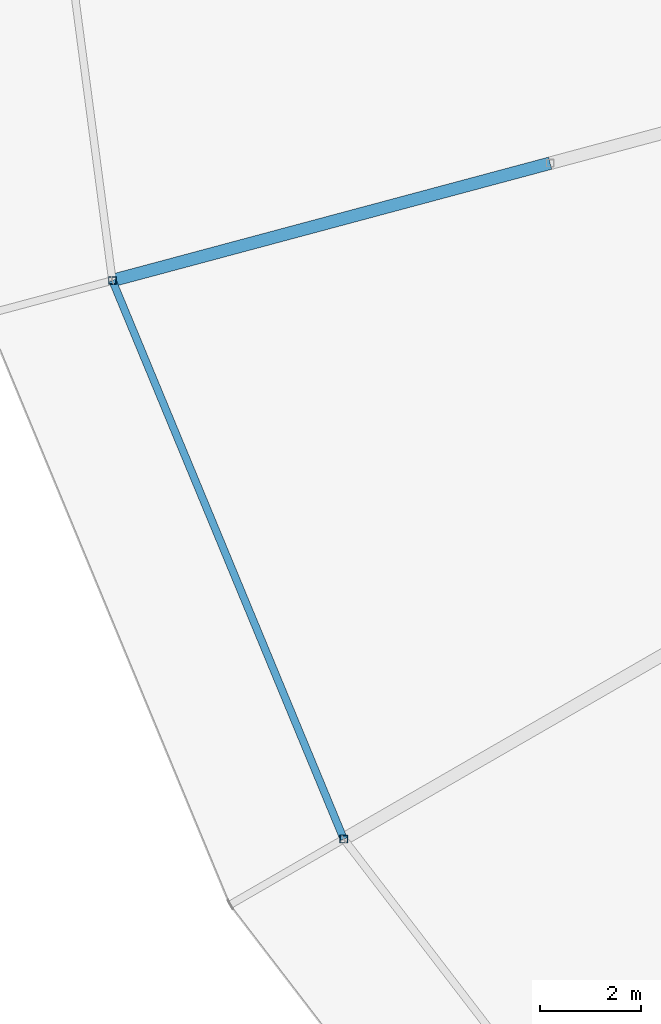
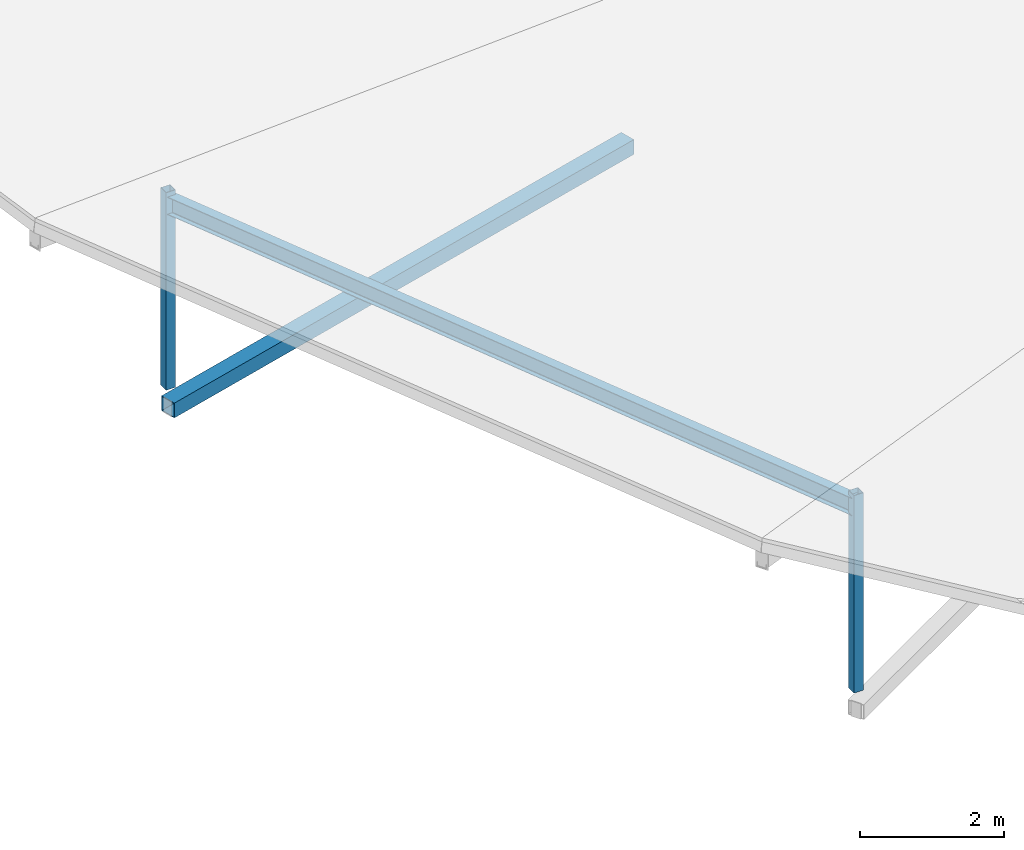
# One storey, part 3 of 70: 3 members, 1 beam.
"""IFC4 building model written with IfcOpenShell, lengths in metres."""

import ifcopenshell
import ifcopenshell.guid

model = None  # the IFC model being written
_history = None  # IfcOwnerHistory: only IFC2X3 demands one
_inside = {}  # id of a spatial element -> (the spatial element, [elements in it])
_under = {}  # id of a project, library or spatial element -> (it, [spatial elements below it])
_declared = {}  # id of a project -> (the project, [libraries it declares])
_typed = {}  # id of a type object -> (the type object, [elements of that type])
_made_of = {}  # id of a material, layer set ... -> (it, [elements and type objects made of it])


def new_model(schema):
    """Start an empty IFC model of exactly this schema.

    Asked for "IFC4X3", IfcOpenShell would pick the latest addendum, in which some entities
    have other attributes; the version numbers below select the first issue.
    IFC2X3 requires an IfcOwnerHistory on every rooted entity: one is made here for all.
    """
    global model, _history
    if schema == "IFC4X3":
        model = ifcopenshell.file(schema_version=(4, 3, 0, 0))
    else:
        model = ifcopenshell.file(schema=schema)
    _inside.clear()
    _under.clear()
    _declared.clear()
    _typed.clear()
    _made_of.clear()
    _history = None
    if model.schema == "IFC2X3":
        org = make("IfcOrganization", Name="unknown")
        user = make(
            "IfcPersonAndOrganization",
            ThePerson=make("IfcPerson", FamilyName="unknown"),
            TheOrganization=org,
        )
        app = make(
            "IfcApplication",
            ApplicationDeveloper=org,
            Version="unknown",
            ApplicationFullName="unknown",
            ApplicationIdentifier="unknown",
        )
        _history = make(
            "IfcOwnerHistory",
            OwningUser=user,
            OwningApplication=app,
            ChangeAction="ADDED",
            CreationDate=0,
        )
    return model


def make(cls, **values):
    """One entity of the class cls with the attributes given. An attribute that is None is left unset."""
    return model.create_entity(
        cls, **{name: value for name, value in values.items() if value is not None}
    )


def rooted(cls, **values):
    """An entity with a GlobalId (a new one), such as an element, a storey or a relation."""
    return make(cls, GlobalId=ifcopenshell.guid.new(), OwnerHistory=_history, **values)


def si_unit(unit_type, name, prefix=None):
    """IfcSIUnit, for example si_unit("LENGTHUNIT", "METRE", prefix="MILLI")."""
    return make("IfcSIUnit", UnitType=unit_type, Prefix=prefix, Name=name)


def assignment(units):
    """IfcUnitAssignment: the units of a project."""
    return None if units is None else make("IfcUnitAssignment", Units=units)


def point(xyz):
    """IfcCartesianPoint."""
    return None if xyz is None else make("IfcCartesianPoint", Coordinates=xyz)


def direction(xyz):
    """IfcDirection."""
    return None if xyz is None else make("IfcDirection", DirectionRatios=xyz)


def frame(location, z_axis=None, x_axis=None):
    """IfcAxis2Placement3D, a coordinate frame: its origin and axes. An axis left out is left unset."""
    return make(
        "IfcAxis2Placement3D",
        Location=point(location),
        Axis=direction(z_axis),
        RefDirection=direction(x_axis),
    )


def frame_2d(location, x_axis=None):
    """IfcAxis2Placement2D, a coordinate frame in the plane: its origin and x axis."""
    return make(
        "IfcAxis2Placement2D", Location=point(location), RefDirection=direction(x_axis)
    )


def origin():
    """The frame at (0, 0, 0) with its axes left unset."""
    return frame((0.0, 0.0, 0.0))


def origin_2d():
    """The frame at (0, 0) in the plane with its x axis left unset."""
    return frame_2d((0.0, 0.0))


def place(relative_to, where):
    """IfcLocalPlacement: puts the frame where relative to a parent placement (None: the world)."""
    return make(
        "IfcLocalPlacement", PlacementRelTo=relative_to, RelativePlacement=where
    )


def context(
    kind, dimensions, precision=None, world=None, true_north=None, identifier=None
):
    """IfcGeometricRepresentationContext, for example the 3D "Model" context."""
    return make(
        "IfcGeometricRepresentationContext",
        ContextIdentifier=identifier,
        ContextType=kind,
        CoordinateSpaceDimension=dimensions,
        Precision=precision,
        WorldCoordinateSystem=world,
        TrueNorth=true_north,
    )


def subcontext(parent, identifier, kind, view, scale=None):
    """IfcGeometricRepresentationSubContext, for example "Body" below "Model"."""
    return make(
        "IfcGeometricRepresentationSubContext",
        ContextIdentifier=identifier,
        ContextType=kind,
        ParentContext=parent,
        TargetScale=scale,
        TargetView=view,
    )


def project(units=None, contexts=None):
    """IfcProject with its units and contexts."""
    return rooted(
        "IfcProject",
        Name="project",
        RepresentationContexts=contexts,
        UnitsInContext=assignment(units),
    )


def spatial(cls, under=None, at=None, **own):
    """A site, building, storey or space (cls), placed at a placement, below another one or the project."""
    s = rooted(cls, ObjectPlacement=at, **own)
    if under is not None:
        _under.setdefault(under.id(), (under, []))[1].append(s)
    return s


def profile(cls, at=None, kind="AREA", **sizes):
    """A parametric profile (cls). Its sizes go by their IFC names, for example OverallWidth=200.0."""
    return make(cls, ProfileType=kind, Position=at, **sizes)


def hollow_rectangle(**sizes):
    """IfcRectangleHollowProfileDef."""
    return profile("IfcRectangleHollowProfileDef", **sizes)


def i_section(**sizes):
    """IfcIShapeProfileDef."""
    return profile("IfcIShapeProfileDef", **sizes)


def extrude(swept, where, along, depth):
    """IfcExtrudedAreaSolid: the profile swept, set in the frame where, extruded along a direction by depth."""
    return make(
        "IfcExtrudedAreaSolid",
        SweptArea=swept,
        Position=where,
        ExtrudedDirection=direction(along),
        Depth=depth,
    )


def shape(context_of_items, identifier, shape_type, items):
    """IfcShapeRepresentation: the items that make up one representation, for example the "Body"."""
    return make(
        "IfcShapeRepresentation",
        ContextOfItems=context_of_items,
        RepresentationIdentifier=identifier,
        RepresentationType=shape_type,
        Items=items,
    )


def material(Name=None, Category=None):
    """IfcMaterial."""
    return make("IfcMaterial", Name=Name, Category=Category)


def material_profile(
    of_material, cross_section, Name=None, Category=None, Priority=None
):
    """IfcMaterialProfile: a cross section and its material."""
    return make(
        "IfcMaterialProfile",
        Name=Name,
        Material=of_material,
        Profile=cross_section,
        Priority=Priority,
        Category=Category,
    )


def profile_set(profiles, Name=None, composite=None):
    """IfcMaterialProfileSet."""
    return make(
        "IfcMaterialProfileSet",
        Name=Name,
        MaterialProfiles=profiles,
        CompositeProfile=composite,
    )


def made_of(thing, what):
    """Note that an element or type object is made of a material, layer set ...; save() writes the relation."""
    if what is not None:
        _made_of.setdefault(what.id(), (what, []))[1].append(thing)
    return thing


def type_object(cls, material=None, **own):
    """A type object (cls), such as IfcWallType, which elements share."""
    return made_of(rooted(cls, **own), material)


def element(
    cls,
    number,
    at=None,
    inside=None,
    cuts=None,
    type_object=None,
    material=None,
    context=None,
    identifier="Body",
    shape_type=None,
    held_by="IfcProductDefinitionShape",
    body=None,
    shapes=None,
    **own,
):
    """One element of the class cls, such as IfcWall. Its Tag is "e" and its number.

    at: its placement. inside: the storey or other place that contains it. cuts: it is an
    opening in that element (IfcRelVoidsElement). A single representation is given by context,
    identifier, shape_type and body (its items); several are given by shapes. held_by: the class
    of the entity that holds the representations. save() writes the other relations.
    """
    e = rooted(cls, Tag="e%d" % number, ObjectPlacement=at, **own)
    if body is not None:
        shapes = [shape(context, identifier, shape_type, body)]
    if shapes is not None:
        e.Representation = make(held_by, Representations=shapes)
    if inside is not None:
        _inside.setdefault(inside.id(), (inside, []))[1].append(e)
    if cuts is not None:
        rooted(
            "IfcRelVoidsElement", RelatingBuildingElement=cuts, RelatedOpeningElement=e
        )
    if type_object is not None:
        _typed.setdefault(type_object.id(), (type_object, []))[1].append(e)
    return made_of(e, material)


def aggregate(whole, parts):
    """IfcRelAggregates: a whole, such as a stair, and the parts it consists of."""
    return rooted("IfcRelAggregates", RelatingObject=whole, RelatedObjects=parts)


def save(model, path):
    """Write the relations noted so far, then the file.

    IfcRelAggregates (storeys below a building ...), IfcRelContainedInSpatialStructure (elements
    in a storey), IfcRelDefinesByType, IfcRelAssociatesMaterial and IfcRelDeclares: one each for
    every whole, place, type object, material and project.
    """
    for whole, parts in _under.values():
        aggregate(whole, parts)
    for where, things in _inside.values():
        rooted(
            "IfcRelContainedInSpatialStructure",
            RelatedElements=things,
            RelatingStructure=where,
        )
    for kind, things in _typed.values():
        rooted("IfcRelDefinesByType", RelatedObjects=things, RelatingType=kind)
    for what, things in _made_of.values():
        rooted("IfcRelAssociatesMaterial", RelatedObjects=things, RelatingMaterial=what)
    for by, libraries in _declared.values():
        rooted("IfcRelDeclares", RelatingContext=by, RelatedDefinitions=libraries)
    model.write(path)


model = new_model("IFC4")

# Units and contexts
model_context = context("Model", 3, precision=1e-05, world=origin(), true_north=direction((0.0, 1.0)))
body_context = subcontext(model_context, "Body", "Model", "MODEL_VIEW")
ifc_project = project(units=[si_unit("LENGTHUNIT", "METRE"), si_unit("AREAUNIT", "SQUARE_METRE"), si_unit("VOLUMEUNIT", "CUBIC_METRE"), si_unit("PLANEANGLEUNIT", "RADIAN"), si_unit("MASSUNIT", "GRAM", prefix="KILO")], contexts=[model_context])

# Site, building, storey
site_placement = place(None, origin())
site = spatial("IfcSite", under=ifc_project, at=site_placement, CompositionType="ELEMENT")
building_placement = place(site_placement, origin())
building = spatial("IfcBuilding", under=site, at=building_placement, Name="Vondelvale Polytechnic", CompositionType="ELEMENT")
storey_placement = place(building_placement, frame((0.0, 0.0, 22.199951171875)))
storey = spatial("IfcBuildingStorey", under=building, at=storey_placement, Name="L05", CompositionType="ELEMENT", Elevation=22.199951171875)

# Beam
ifc_material_1 = material(Name="Steel 300PLUS (fy = 300 MPa)", Category="steel")
ifc_material_profile_1 = material_profile(ifc_material_1, i_section(OverallWidth=0.14892578125, OverallDepth=0.298095703125, WebThickness=0.005615234375, FlangeThickness=0.008056640625, FilletRadius=0.011474609375, at=origin_2d()), Name="310UB32.0")
ifc_profile_set_1 = profile_set([ifc_material_profile_1], Name="Steel 300PLUS (fy = 300 MPa)")
beam_type = type_object("IfcBeamType", Name="BM-UB310L", PredefinedType="BEAM", material=ifc_profile_set_1)
beam_placement = place(storey_placement, frame((57.5673828125, 60.09423828125, 3.11083984375), z_axis=(0.382688765072, -0.923877323614, 0.0), x_axis=(0.923877323614, 0.382688765072, 0.0)))
element("IfcBeam", 1, at=beam_placement, inside=storey, type_object=beam_type, Name="L05 RE B-25", PredefinedType="BEAM", context=body_context, shape_type="SweptSolid", body=[
    extrude(i_section(OverallWidth=0.14892578125, OverallDepth=0.298095703125, WebThickness=0.005615234375, FlangeThickness=0.008056640625, FilletRadius=0.011474609375, at=origin_2d()), origin(), (0.0, 0.0, 1.0), 12.00830078125),
])

# Members
ifc_material_2 = material(Name="Steel C350L0 (fy = 350 MPa)", Category="steel")
ifc_material_profile_2 = material_profile(ifc_material_2, hollow_rectangle(XDim=0.25, YDim=0.25, WallThickness=0.009033203125, at=origin_2d()), Name="250x250x9.0SHS")
ifc_profile_set_2 = profile_set([ifc_material_profile_2], Name="Steel C350L0 (fy = 350 MPa)")
member_type_1 = type_object("IfcMemberType", Name="ROOF TRUSS CHORD 250SHS", PredefinedType="CHORD", material=ifc_profile_set_2)
member_placement = place(storey_placement, frame((66.2607421875, 62.423583984375, -0.349853515625), z_axis=(-0.965926740751, -0.25881563226, 0.0), x_axis=(0.25881563226, -0.965926740751, 0.0)))
element("IfcMember", 2, at=member_placement, inside=storey, type_object=member_type_1, Name="Ring workshop truss chord 13B", PredefinedType="CHORD", context=body_context, shape_type="SweptSolid", body=[
    extrude(hollow_rectangle(XDim=0.25, YDim=0.25, WallThickness=0.009033203125, at=origin_2d()), origin(), (0.0, 0.0, 1.0), 9.0),
])
ifc_material_profile_3 = material_profile(ifc_material_2, hollow_rectangle(XDim=0.14990234375, YDim=0.14990234375, WallThickness=0.006103515625, at=origin_2d()), Name="150x150x6.0SHS")
ifc_profile_set_3 = profile_set([ifc_material_profile_3], Name="Steel C350L0 (fy = 350 MPa)")
member_type_2 = type_object("IfcMemberType", Name="ROOF TRUSS POST 150SHS", PredefinedType="POST", material=ifc_profile_set_3)
for number, where, z_axis, x_axis, name in (
    (3, (57.5673828125, 60.09423828125, 0.0), (0.0, 0.0, 1.0), (1.0, 0.0, 0.0), "Ring outer roof post 13"),
    (4, (62.162841796875, 49.0, 0.0), (0.0, 0.0, 1.0), (1.0, 0.0, 0.0), "Ring outer roof post 14"),
):
    element("IfcMember", number, at=place(storey_placement, frame(where, z_axis=z_axis, x_axis=x_axis)), inside=storey, type_object=member_type_2, Name=name, PredefinedType="POST", context=body_context, shape_type="SweptSolid", body=[
        extrude(hollow_rectangle(XDim=0.14990234375, YDim=0.14990234375, WallThickness=0.006103515625, at=origin_2d()), origin(), (0.0, 0.0, 1.0), 3.33984375),
    ])

save(model, "model.ifc")
